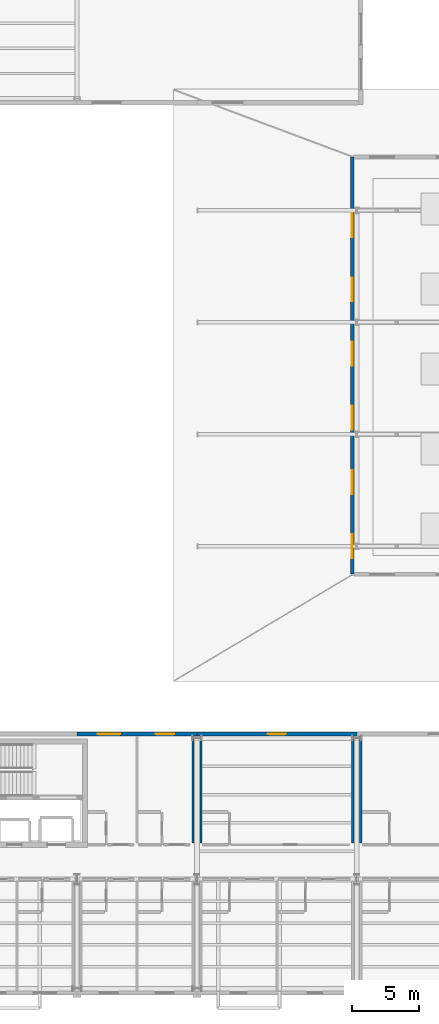
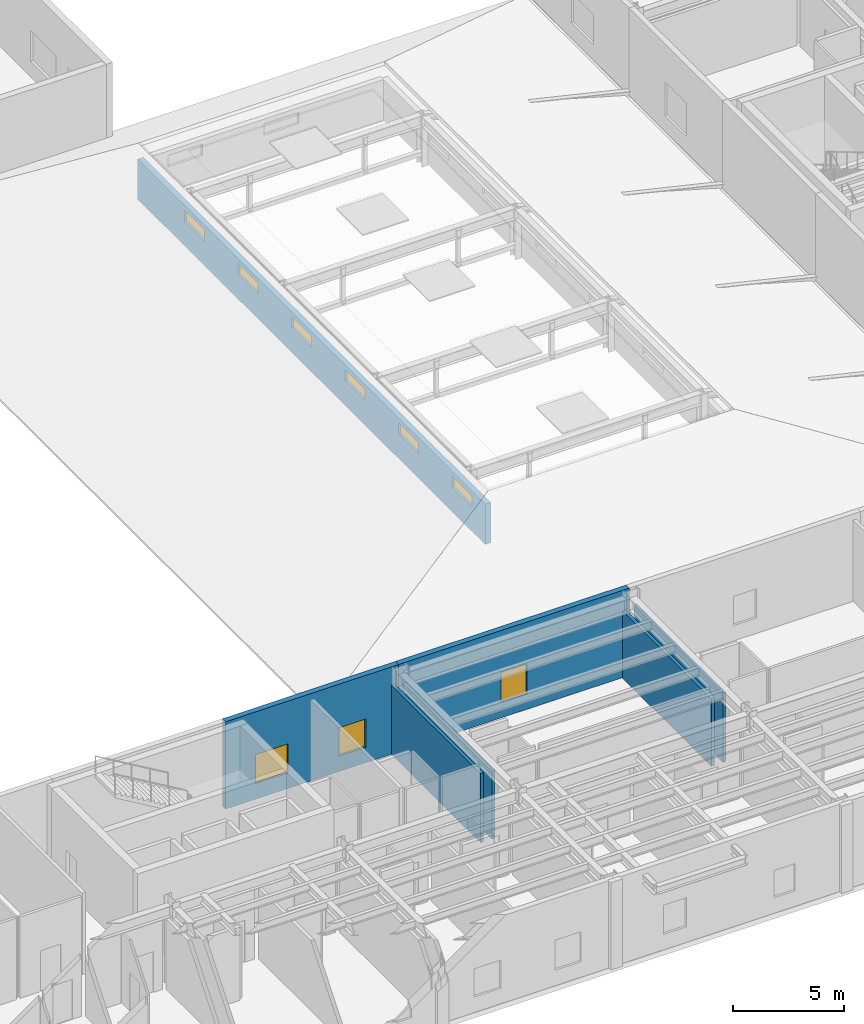
# One storey, part 73 of 91: 9 windows, 7 walls, 9 openings.
"""IFC4 building model written with IfcOpenShell, lengths in metres."""

from ifc_helpers import new_model, si_unit, direction, frame, frame_2d, origin, place, context, subcontext, project, spatial, rectangle, extrude, material, layer, layer_set, type_object, element, fill, save


model = new_model("IFC4")

# Units and contexts
model_context = context("Model", 3, precision=1e-05, world=origin(), true_north=direction((0.0, 1.0)))
body_context = subcontext(model_context, "Body", "Model", "MODEL_VIEW")
ifc_project = project(units=[si_unit("LENGTHUNIT", "METRE"), si_unit("AREAUNIT", "SQUARE_METRE"), si_unit("VOLUMEUNIT", "CUBIC_METRE"), si_unit("PLANEANGLEUNIT", "RADIAN"), si_unit("MASSUNIT", "GRAM", prefix="KILO")], contexts=[model_context])

# Site, building, storey
site_placement = place(None, origin())
site = spatial("IfcSite", under=ifc_project, at=site_placement, CompositionType="ELEMENT")
building_placement = place(site_placement, origin())
building = spatial("IfcBuilding", under=site, at=building_placement, Name="Sollismere Congress Hotel", CompositionType="ELEMENT")
storey_placement = place(building_placement, frame((0.0, 0.0, 10.800048828125)))
storey = spatial("IfcBuildingStorey", under=building, at=storey_placement, Name="L02", CompositionType="ELEMENT", Elevation=10.800048828125)

# Wall, openings, windows
ifc_material_1 = material(Name="Colorado Buff Sandstone Rainscreen on Insulated Backup", Category="masonry")
ifc_layer_1 = layer(ifc_material_1, 0.284912109375, Name="Colorado Buff Sandstone Rainscreen on Insulated Backup")
ifc_layer_set_1 = layer_set([ifc_layer_1], Name="Colorado Buff Sandstone Rainscreen on Insulated Backup")
wall_type_1 = type_object("IfcWallType", Name="WL-EXT285", PredefinedType="STANDARD", material=ifc_layer_set_1)
wall_1_placement = place(storey_placement, frame((123.64990234375, 31.10009765625, 0.0), z_axis=(0.0, 0.0, 1.0), x_axis=(0.0, 1.0, 0.0)))
wall_1 = element("IfcWall", 1, at=wall_1_placement, inside=storey, type_object=wall_type_1, Name="Exterior wall EW-L02-212", PredefinedType="STANDARD", context=body_context, shape_type="SweptSolid", body=[
    extrude(rectangle(XDim=31.2998046875, YDim=0.284912109375, at=frame_2d((15.64990234375, 0.0))), origin(), (0.0, 0.0, 1.0), 2.219970703125),
])
opening_1_placement = place(wall_1_placement, frame((1.199951171875, 0.0, 1.35009765625)))
opening_1 = element("IfcOpeningElement", 2, at=opening_1_placement, cuts=wall_1, Name="Opening W-L02-182", PredefinedType="OPENING", context=body_context, shape_type="SweptSolid", body=[
    extrude(rectangle(XDim=1.800048828125, YDim=0.6201171875, at=frame_2d((0.89990234375, 0.31005859375))), frame((0.0, 0.15234375, 0.0), z_axis=(0.0, -1.0, 0.0), x_axis=(1.0, 0.0, 0.0)), (0.0, 0.0, 1.0), 0.304931640625),
])
opening_2_placement = place(wall_1_placement, frame((6.0166015625, 0.0, 1.35009765625)))
opening_2 = element("IfcOpeningElement", 3, at=opening_2_placement, cuts=wall_1, Name="Opening W-L02-183", PredefinedType="OPENING", context=body_context, shape_type="SweptSolid", body=[
    extrude(rectangle(XDim=1.800048828125, YDim=0.6201171875, at=frame_2d((0.89990234375, 0.31005859375))), frame((0.0, 0.15234375, 0.0), z_axis=(0.0, -1.0, 0.0), x_axis=(1.0, 0.0, 0.0)), (0.0, 0.0, 1.0), 0.304931640625),
])
opening_3_placement = place(wall_1_placement, frame((10.833251953125, 0.0, 1.35009765625)))
opening_3 = element("IfcOpeningElement", 4, at=opening_3_placement, cuts=wall_1, Name="Opening W-L02-184", PredefinedType="OPENING", context=body_context, shape_type="SweptSolid", body=[
    extrude(rectangle(XDim=1.800048828125, YDim=0.6201171875, at=frame_2d((0.89990234375, 0.31005859375))), frame((0.0, 0.15234375, 0.0), z_axis=(0.0, -1.0, 0.0), x_axis=(1.0, 0.0, 0.0)), (0.0, 0.0, 1.0), 0.304931640625),
])
opening_4_placement = place(wall_1_placement, frame((15.64990234375, 0.0, 1.35009765625)))
opening_4 = element("IfcOpeningElement", 5, at=opening_4_placement, cuts=wall_1, Name="Opening W-L02-185", PredefinedType="OPENING", context=body_context, shape_type="SweptSolid", body=[
    extrude(rectangle(XDim=1.800048828125, YDim=0.6201171875, at=frame_2d((0.89990234375, 0.31005859375))), frame((0.0, 0.15234375, 0.0), z_axis=(0.0, -1.0, 0.0), x_axis=(1.0, 0.0, 0.0)), (0.0, 0.0, 1.0), 0.304931640625),
])
opening_5_placement = place(wall_1_placement, frame((20.466796875, 0.0, 1.35009765625)))
opening_5 = element("IfcOpeningElement", 6, at=opening_5_placement, cuts=wall_1, Name="Opening W-L02-186", PredefinedType="OPENING", context=body_context, shape_type="SweptSolid", body=[
    extrude(rectangle(XDim=1.800048828125, YDim=0.6201171875, at=frame_2d((0.89990234375, 0.31005859375))), frame((0.0, 0.15234375, 0.0), z_axis=(0.0, -1.0, 0.0), x_axis=(1.0, 0.0, 0.0)), (0.0, 0.0, 1.0), 0.304931640625),
])
opening_6_placement = place(wall_1_placement, frame((25.283203125, 0.0, 1.35009765625)))
opening_6 = element("IfcOpeningElement", 7, at=opening_6_placement, cuts=wall_1, Name="Opening W-L02-187", PredefinedType="OPENING", context=body_context, shape_type="SweptSolid", body=[
    extrude(rectangle(XDim=1.800048828125, YDim=0.6201171875, at=frame_2d((0.89990234375, 0.31005859375))), frame((0.0, 0.15234375, 0.0), z_axis=(0.0, -1.0, 0.0), x_axis=(1.0, 0.0, 0.0)), (0.0, 0.0, 1.0), 0.304931640625),
])
ifc_material_2 = material(Name="Thermally Broken Bronze Aluminum & Low-E Glass", Category="aluminium")
window_type_1 = type_object("IfcWindowType", Name="WN-CL180", PartitioningType="SINGLE_PANEL", PredefinedType="WINDOW", material=ifc_material_2)
window_1_placement = place(opening_1_placement, origin())
window_1 = element("IfcWindow", 8, at=window_1_placement, inside=storey, type_object=window_type_1, Name="WIN-W-L02-182", OverallHeight=0.6201171875, OverallWidth=1.800048828125, PartitioningType="SINGLE_PANEL", PredefinedType="WINDOW", context=body_context, shape_type="SweptSolid", body=[
    extrude(rectangle(XDim=1.800048828125, YDim=0.6201171875, at=frame_2d((0.89990234375, 0.31005859375))), frame((0.0, 0.030029296875, 0.0), z_axis=(0.0, -1.0, 0.0), x_axis=(1.0, 0.0, 0.0)), (0.0, 0.0, 1.0), 0.06005859375),
])
fill(opening_1, window_1)
window_2_placement = place(opening_2_placement, origin())
window_2 = element("IfcWindow", 9, at=window_2_placement, inside=storey, type_object=window_type_1, Name="WIN-W-L02-183", OverallHeight=0.6201171875, OverallWidth=1.800048828125, PartitioningType="SINGLE_PANEL", PredefinedType="WINDOW", context=body_context, shape_type="SweptSolid", body=[
    extrude(rectangle(XDim=1.800048828125, YDim=0.6201171875, at=frame_2d((0.89990234375, 0.31005859375))), frame((0.0, 0.030029296875, 0.0), z_axis=(0.0, -1.0, 0.0), x_axis=(1.0, 0.0, 0.0)), (0.0, 0.0, 1.0), 0.06005859375),
])
fill(opening_2, window_2)
window_3_placement = place(opening_3_placement, origin())
window_3 = element("IfcWindow", 10, at=window_3_placement, inside=storey, type_object=window_type_1, Name="WIN-W-L02-184", OverallHeight=0.6201171875, OverallWidth=1.800048828125, PartitioningType="SINGLE_PANEL", PredefinedType="WINDOW", context=body_context, shape_type="SweptSolid", body=[
    extrude(rectangle(XDim=1.800048828125, YDim=0.6201171875, at=frame_2d((0.89990234375, 0.31005859375))), frame((0.0, 0.030029296875, 0.0), z_axis=(0.0, -1.0, 0.0), x_axis=(1.0, 0.0, 0.0)), (0.0, 0.0, 1.0), 0.06005859375),
])
fill(opening_3, window_3)
window_4_placement = place(opening_4_placement, origin())
window_4 = element("IfcWindow", 11, at=window_4_placement, inside=storey, type_object=window_type_1, Name="WIN-W-L02-185", OverallHeight=0.6201171875, OverallWidth=1.800048828125, PartitioningType="SINGLE_PANEL", PredefinedType="WINDOW", context=body_context, shape_type="SweptSolid", body=[
    extrude(rectangle(XDim=1.800048828125, YDim=0.6201171875, at=frame_2d((0.89990234375, 0.31005859375))), frame((0.0, 0.030029296875, 0.0), z_axis=(0.0, -1.0, 0.0), x_axis=(1.0, 0.0, 0.0)), (0.0, 0.0, 1.0), 0.06005859375),
])
fill(opening_4, window_4)
window_5_placement = place(opening_5_placement, origin())
window_5 = element("IfcWindow", 12, at=window_5_placement, inside=storey, type_object=window_type_1, Name="WIN-W-L02-186", OverallHeight=0.6201171875, OverallWidth=1.800048828125, PartitioningType="SINGLE_PANEL", PredefinedType="WINDOW", context=body_context, shape_type="SweptSolid", body=[
    extrude(rectangle(XDim=1.800048828125, YDim=0.6201171875, at=frame_2d((0.89990234375, 0.31005859375))), frame((0.0, 0.030029296875, 0.0), z_axis=(0.0, -1.0, 0.0), x_axis=(1.0, 0.0, 0.0)), (0.0, 0.0, 1.0), 0.06005859375),
])
fill(opening_5, window_5)
window_6_placement = place(opening_6_placement, origin())
window_6 = element("IfcWindow", 13, at=window_6_placement, inside=storey, type_object=window_type_1, Name="WIN-W-L02-187", OverallHeight=0.6201171875, OverallWidth=1.800048828125, PartitioningType="SINGLE_PANEL", PredefinedType="WINDOW", context=body_context, shape_type="SweptSolid", body=[
    extrude(rectangle(XDim=1.800048828125, YDim=0.6201171875, at=frame_2d((0.89990234375, 0.31005859375))), frame((0.0, 0.030029296875, 0.0), z_axis=(0.0, -1.0, 0.0), x_axis=(1.0, 0.0, 0.0)), (0.0, 0.0, 1.0), 0.06005859375),
])
fill(opening_6, window_6)

wall_2_placement = place(storey_placement, frame((112.0, 19.110107421875, 0.0), z_axis=(0.0, 0.0, 1.0), x_axis=(-1.0, 0.0, 0.0)))
wall_2 = element("IfcWall", 14, at=wall_2_placement, inside=storey, type_object=wall_type_1, Name="Exterior wall EW-L02-375", PredefinedType="STANDARD", context=body_context, shape_type="SweptSolid", body=[
    extrude(rectangle(XDim=9.0, YDim=0.284912109375, at=frame_2d((4.5, 0.0))), origin(), (0.0, 0.0, 1.0), 4.800048828125),
])
opening_7_placement = place(wall_2_placement, frame((5.75, 0.0, 0.85009765625)))
opening_7 = element("IfcOpeningElement", 15, at=opening_7_placement, cuts=wall_2, Name="Opening W-L02-295", PredefinedType="OPENING", context=body_context, shape_type="SweptSolid", body=[
    extrude(rectangle(XDim=1.699951171875, YDim=1.60009765625, at=frame_2d((0.85009765625, 0.800048828125))), frame((0.0, 0.15234375, 0.0), z_axis=(0.0, -1.0, 0.0), x_axis=(1.0, 0.0, 0.0)), (0.0, 0.0, 1.0), 0.304931640625),
])
opening_8_placement = place(wall_2_placement, frame((1.699951171875, 0.0, 0.85009765625)))
opening_8 = element("IfcOpeningElement", 16, at=opening_8_placement, cuts=wall_2, Name="Opening W-L02-296", PredefinedType="OPENING", context=body_context, shape_type="SweptSolid", body=[
    extrude(rectangle(XDim=1.39990234375, YDim=1.550048828125, at=frame_2d((0.699951171875, 0.77490234375))), frame((0.0, 0.15234375, 0.0), z_axis=(0.0, -1.0, 0.0), x_axis=(1.0, 0.0, 0.0)), (0.0, 0.0, 1.0), 0.304931640625),
])
window_type_2 = type_object("IfcWindowType", Name="WN-P140x155", PartitioningType="SINGLE_PANEL", PredefinedType="WINDOW", material=ifc_material_2)
window_7_placement = place(opening_8_placement, origin())
window_7 = element("IfcWindow", 17, at=window_7_placement, inside=storey, type_object=window_type_2, Name="WIN-W-L02-296", OverallHeight=1.550048828125, OverallWidth=1.39990234375, PartitioningType="SINGLE_PANEL", PredefinedType="WINDOW", context=body_context, shape_type="SweptSolid", body=[
    extrude(rectangle(XDim=1.39990234375, YDim=1.550048828125, at=frame_2d((0.699951171875, 0.77490234375))), frame((0.0, 0.030029296875, 0.0), z_axis=(0.0, -1.0, 0.0), x_axis=(1.0, 0.0, 0.0)), (0.0, 0.0, 1.0), 0.06005859375),
])
fill(opening_8, window_7)
window_type_3 = type_object("IfcWindowType", Name="WN-P170x160", PartitioningType="SINGLE_PANEL", PredefinedType="WINDOW", material=ifc_material_2)
window_8_placement = place(opening_7_placement, origin())
window_8 = element("IfcWindow", 18, at=window_8_placement, inside=storey, type_object=window_type_3, Name="WIN-W-L02-295", OverallHeight=1.60009765625, OverallWidth=1.699951171875, PartitioningType="SINGLE_PANEL", PredefinedType="WINDOW", context=body_context, shape_type="SweptSolid", body=[
    extrude(rectangle(XDim=1.699951171875, YDim=1.60009765625, at=frame_2d((0.85009765625, 0.800048828125))), frame((0.0, 0.030029296875, 0.0), z_axis=(0.0, -1.0, 0.0), x_axis=(1.0, 0.0, 0.0)), (0.0, 0.0, 1.0), 0.06005859375),
])
fill(opening_7, window_8)

# Wall, opening, window
wall_3_placement = place(storey_placement, frame((124.0, 19.110107421875, 0.0), z_axis=(0.0, 0.0, 1.0), x_axis=(-1.0, 0.0, 0.0)))
wall_3 = element("IfcWall", 19, at=wall_3_placement, inside=storey, type_object=wall_type_1, Name="Exterior wall EW-L02-376", PredefinedType="STANDARD", context=body_context, shape_type="SweptSolid", body=[
    extrude(rectangle(XDim=12.0, YDim=0.284912109375, at=frame_2d((6.0, 0.0))), origin(), (0.0, 0.0, 1.0), 4.800048828125),
])
opening_9_placement = place(wall_3_placement, frame((5.324951171875, 0.0, 0.85009765625)))
opening_9 = element("IfcOpeningElement", 20, at=opening_9_placement, cuts=wall_3, Name="Opening W-L02-297", PredefinedType="OPENING", context=body_context, shape_type="SweptSolid", body=[
    extrude(rectangle(XDim=1.35009765625, YDim=1.64990234375, at=frame_2d((0.675048828125, 0.824951171875))), frame((0.0, 0.15234375, 0.0), z_axis=(0.0, -1.0, 0.0), x_axis=(1.0, 0.0, 0.0)), (0.0, 0.0, 1.0), 0.304931640625),
])
window_type_4 = type_object("IfcWindowType", Name="WN-P135x165", PartitioningType="SINGLE_PANEL", PredefinedType="WINDOW", material=ifc_material_2)
window_9_placement = place(opening_9_placement, origin())
window_9 = element("IfcWindow", 21, at=window_9_placement, inside=storey, type_object=window_type_4, Name="WIN-W-L02-297", OverallHeight=1.64990234375, OverallWidth=1.35009765625, PartitioningType="SINGLE_PANEL", PredefinedType="WINDOW", context=body_context, shape_type="SweptSolid", body=[
    extrude(rectangle(XDim=1.35009765625, YDim=1.64990234375, at=frame_2d((0.675048828125, 0.824951171875))), frame((0.0, 0.030029296875, 0.0), z_axis=(0.0, -1.0, 0.0), x_axis=(1.0, 0.0, 0.0)), (0.0, 0.0, 1.0), 0.06005859375),
])
fill(opening_9, window_9)

# Walls
ifc_material_3 = material(Name="Fire-Rated Acoustic Gypsum Partition")
ifc_layer_2 = layer(ifc_material_3, 0.1650390625, Name="Fire-Rated Acoustic Gypsum Partition")
ifc_layer_set_2 = layer_set([ifc_layer_2], Name="Fire-Rated Acoustic Gypsum Partition")
wall_type_2 = type_object("IfcWallType", Name="WL-PRT165R", PredefinedType="PARTITIONING", material=ifc_layer_set_2)
wall_4_placement = place(storey_placement, frame((111.699951171875, 10.93994140625, 0.0), z_axis=(0.0, 0.0, 1.0), x_axis=(0.0, 1.0, 0.0)))
element("IfcWall", 22, at=wall_4_placement, inside=storey, type_object=wall_type_2, Name="Interior wall IW-L02-1089", PredefinedType="PARTITIONING", context=body_context, shape_type="SweptSolid", body=[
    extrude(rectangle(XDim=8.012451171875, YDim=0.1650390625, at=frame_2d((4.00634765625, 0.0))), origin(), (0.0, 0.0, 1.0), 3.803955078125),
])
for number, where, z_axis, x_axis, name in (
    (23, (112.300048828125, 10.93994140625, 0.0), (0.0, 0.0, 1.0), (0.0, 1.0, 0.0), "Interior wall IW-L02-1105"),
    (24, (123.699951171875, 10.93994140625, 0.0), (0.0, 0.0, 1.0), (0.0, 1.0, 0.0), "Interior wall IW-L02-1106"),
):
    element("IfcWall", number, at=place(storey_placement, frame(where, z_axis=z_axis, x_axis=x_axis)), inside=storey, type_object=wall_type_2, Name=name, PredefinedType="PARTITIONING", context=body_context, shape_type="SweptSolid", body=[
        extrude(rectangle(XDim=8.012451171875, YDim=0.1650390625, at=frame_2d((4.00634765625, 0.0))), origin(), (0.0, 0.0, 1.0), 3.712890625),
    ])
wall_5_placement = place(storey_placement, frame((124.300048828125, 10.93994140625, 0.0), z_axis=(0.0, 0.0, 1.0), x_axis=(0.0, 1.0, 0.0)))
element("IfcWall", 25, at=wall_5_placement, inside=storey, type_object=wall_type_2, Name="Interior wall IW-L02-1117", PredefinedType="PARTITIONING", context=body_context, shape_type="SweptSolid", body=[
    extrude(rectangle(XDim=8.012451171875, YDim=0.1650390625, at=frame_2d((4.00634765625, 0.0))), origin(), (0.0, 0.0, 1.0), 3.803955078125),
])

save(model, "model.ifc")
